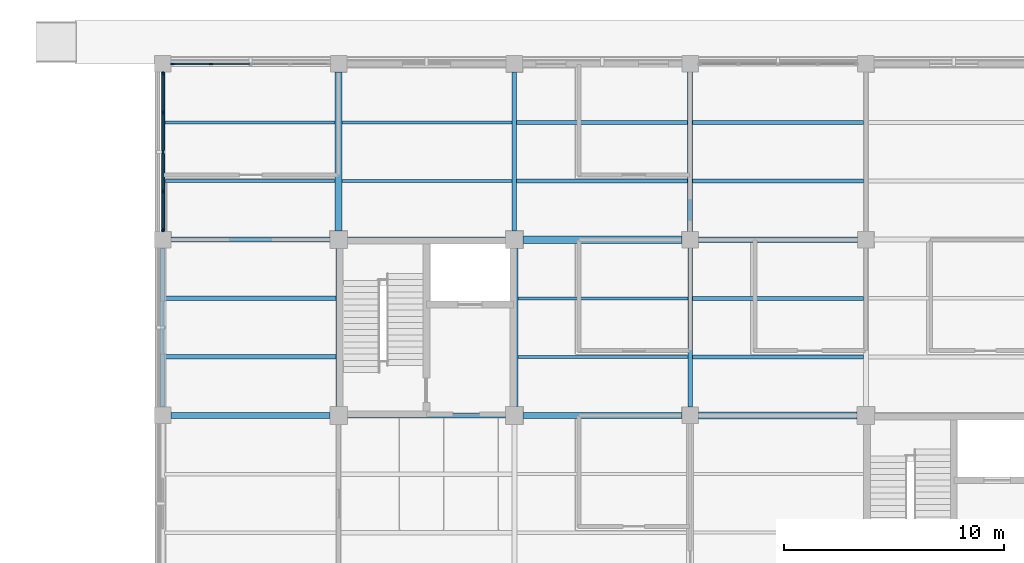
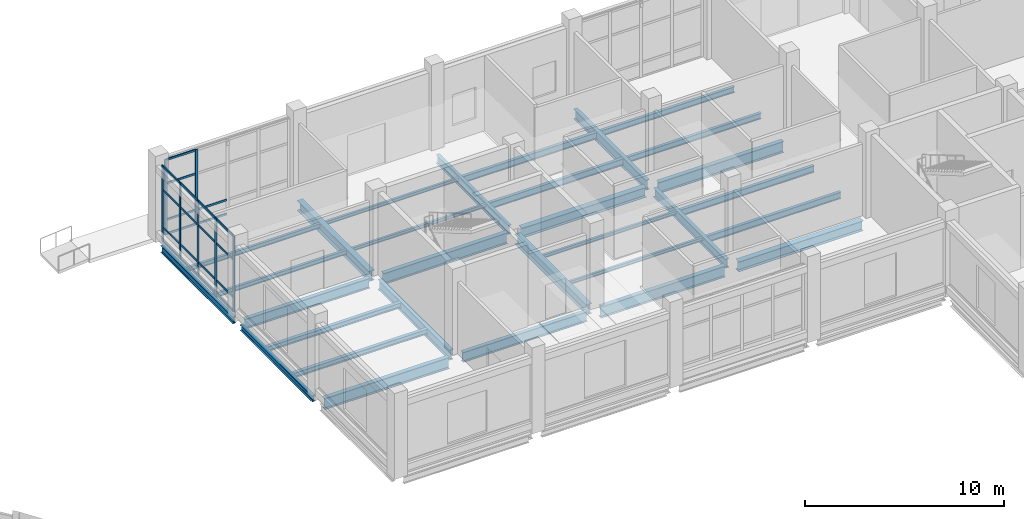
# One storey, part 45 of 105: 30 beams, 29 members, 2 elements without a shape of their own.
"""IFC4 building model written with IfcOpenShell, lengths in metres."""

from ifc_helpers import new_model, si_unit, derived_unit, direction, frame, origin, origin_2d, place, context, subcontext, project, spatial, rectangle, i_section, extrude, material, layer, layer_set, material_profile, profile_set, type_object, element, aggregate, save


model = new_model("IFC4")

# Units and contexts
model_context = context("Model", 3, precision=1e-05, world=origin(), true_north=direction((0.0, 1.0)))
body_context = subcontext(model_context, "Body", "Model", "MODEL_VIEW")
ifc_project = project(units=[si_unit("LENGTHUNIT", "METRE"), si_unit("AREAUNIT", "SQUARE_METRE"), si_unit("VOLUMEUNIT", "CUBIC_METRE"), si_unit("PLANEANGLEUNIT", "RADIAN"), si_unit("MASSUNIT", "GRAM", prefix="KILO"), derived_unit("THERMALTRANSMITTANCEUNIT", [(si_unit("MASSUNIT", "GRAM", prefix="KILO"), 1), (si_unit("TIMEUNIT", "SECOND"), -3), (si_unit("THERMODYNAMICTEMPERATUREUNIT", "KELVIN"), -1)])], contexts=[model_context])

# Site, building, storey
site_placement = place(None, origin())
site = spatial("IfcSite", under=ifc_project, at=site_placement, CompositionType="ELEMENT")
building_placement = place(site_placement, origin())
building = spatial("IfcBuilding", under=site, at=building_placement, Name="Veyamyaing Civic Hall", CompositionType="ELEMENT")
storey_placement = place(building_placement, origin())
storey = spatial("IfcBuildingStorey", under=building, at=storey_placement, Name="L00", CompositionType="ELEMENT", Elevation=0.0)

# Beams
ifc_material_1 = material(Name="Steel ASTM A992", Category="steel")
ifc_material_profile_1 = material_profile(ifc_material_1, i_section(OverallWidth=0.256103515625, OverallDepth=0.693115234375, WebThickness=0.014404296875, FlangeThickness=0.023681640625, FilletRadius=0.013916015625, at=origin_2d()), Name="W690X170")
ifc_profile_set_1 = profile_set([ifc_material_profile_1], Name="Steel ASTM A992")
beam_type_1 = type_object("IfcBeamType", Name="B-04", PredefinedType="BEAM", material=ifc_profile_set_1)
beam_1_placement = place(storey_placement, frame((128.375, 96.0, -0.62158203125), z_axis=(1.0, 0.0, 0.0), x_axis=(0.0, 1.0, 0.0)))
element("IfcBeam", 1, at=beam_1_placement, inside=storey, type_object=beam_type_1, Name="Girder B-04 L00 Grid N 17-18", PredefinedType="BEAM", context=body_context, shape_type="SweptSolid", body=[
    extrude(i_section(OverallWidth=0.256103515625, OverallDepth=0.693115234375, WebThickness=0.014404296875, FlangeThickness=0.023681640625, FilletRadius=0.013916015625, at=origin_2d()), origin(), (0.0, 0.0, 1.0), 7.22509765625),
])
beam_2_placement = place(storey_placement, frame((152.375, 104.0, -0.62158203125), z_axis=(1.0, 0.0, 0.0), x_axis=(0.0, 1.0, 0.0)))
element("IfcBeam", 2, at=beam_2_placement, inside=storey, type_object=beam_type_1, Name="Girder B-04 L00 Grid P 20-21", PredefinedType="BEAM", context=body_context, shape_type="SweptSolid", body=[
    extrude(i_section(OverallWidth=0.256103515625, OverallDepth=0.693115234375, WebThickness=0.014404296875, FlangeThickness=0.023681640625, FilletRadius=0.013916015625, at=origin_2d()), origin(), (0.0, 0.0, 1.0), 7.25),
])
ifc_material_profile_2 = material_profile(ifc_material_1, i_section(OverallWidth=0.22998046875, OverallDepth=0.616943359375, WebThickness=0.01318359375, FlangeThickness=0.022216796875, FilletRadius=0.012939453125, at=origin_2d()), Name="W610X140")
ifc_profile_set_2 = profile_set([ifc_material_profile_2], Name="Steel ASTM A992")
beam_type_2 = type_object("IfcBeamType", Name="B-05", PredefinedType="BEAM", material=ifc_profile_set_2)
beam_3_placement = place(storey_placement, frame((136.39990234375, 96.0, -0.58349609375), z_axis=(1.0, 0.0, 0.0), x_axis=(0.0, 1.0, 0.0)))
element("IfcBeam", 3, at=beam_3_placement, inside=storey, type_object=beam_type_2, Name="Girder B-05 L00 Grid N 18-19", PredefinedType="BEAM", context=body_context, shape_type="SweptSolid", body=[
    extrude(i_section(OverallWidth=0.22998046875, OverallDepth=0.616943359375, WebThickness=0.01318359375, FlangeThickness=0.022216796875, FilletRadius=0.012939453125, at=origin_2d()), origin(), (0.0, 0.0, 1.0), 7.2001953125),
])
beam_4_placement = place(storey_placement, frame((128.375, 104.0, -0.58349609375), z_axis=(1.0, 0.0, 0.0), x_axis=(0.0, 1.0, 0.0)))
element("IfcBeam", 4, at=beam_4_placement, inside=storey, type_object=beam_type_2, Name="Girder B-05 L00 Grid P 17-18", PredefinedType="BEAM", context=body_context, shape_type="SweptSolid", body=[
    extrude(i_section(OverallWidth=0.22998046875, OverallDepth=0.616943359375, WebThickness=0.01318359375, FlangeThickness=0.022216796875, FilletRadius=0.012939453125, at=origin_2d()), origin(), (0.0, 0.0, 1.0), 7.22509765625),
])
beam_5_placement = place(storey_placement, frame((152.0, 104.375, -0.58349609375), z_axis=(0.0, 1.0, 0.0), x_axis=(-1.0, 0.0, 0.0)))
element("IfcBeam", 5, at=beam_5_placement, inside=storey, type_object=beam_type_2, Name="Girder B-05 L00 Grid 20 P-Q", PredefinedType="BEAM", context=body_context, shape_type="SweptSolid", body=[
    extrude(i_section(OverallWidth=0.22998046875, OverallDepth=0.616943359375, WebThickness=0.01318359375, FlangeThickness=0.022216796875, FilletRadius=0.012939453125, at=origin_2d()), origin(), (0.0, 0.0, 1.0), 7.25),
])
ifc_material_profile_3 = material_profile(ifc_material_1, i_section(OverallWidth=0.22802734375, OverallDepth=0.60791015625, WebThickness=0.01123046875, FlangeThickness=0.017333984375, FilletRadius=0.012939453125, at=origin_2d()), Name="W610X113")
ifc_profile_set_3 = profile_set([ifc_material_profile_3], Name="Steel ASTM A992")
beam_type_3 = type_object("IfcBeamType", Name="B-06", PredefinedType="BEAM", material=ifc_profile_set_3)
beam_6_placement = place(storey_placement, frame((136.0, 96.39990234375, -0.5791015625), z_axis=(0.0, 1.0, 0.0), x_axis=(-1.0, 0.0, 0.0)))
element("IfcBeam", 6, at=beam_6_placement, inside=storey, type_object=beam_type_3, Name="Girder B-06 L00 Grid 18 N-P", PredefinedType="BEAM", context=body_context, shape_type="SweptSolid", body=[
    extrude(i_section(OverallWidth=0.22802734375, OverallDepth=0.60791015625, WebThickness=0.01123046875, FlangeThickness=0.017333984375, FilletRadius=0.012939453125, at=origin_2d()), origin(), (0.0, 0.0, 1.0), 7.2001953125),
])
ifc_material_profile_4 = material_profile(ifc_material_1, i_section(OverallWidth=0.2041015625, OverallDepth=0.35009765625, WebThickness=0.0078125, FlangeThickness=0.01513671875, FilletRadius=0.010009765625, at=origin_2d()), Name="W360X72")
ifc_profile_set_4 = profile_set([ifc_material_profile_4], Name="Steel ASTM A992")
beam_type_4 = type_object("IfcBeamType", Name="B-11", PredefinedType="SPANDREL", material=ifc_profile_set_4)
beam_7_placement = place(storey_placement, frame((128.0, 96.375, -0.449951171875), z_axis=(0.0, 1.0, 0.0), x_axis=(-1.0, 0.0, 0.0)))
element("IfcBeam", 7, at=beam_7_placement, inside=storey, type_object=beam_type_4, Name="Girder B-11 L00 Grid 17 N-P", PredefinedType="SPANDREL", context=body_context, shape_type="SweptSolid", body=[
    extrude(i_section(OverallWidth=0.2041015625, OverallDepth=0.35009765625, WebThickness=0.0078125, FlangeThickness=0.01513671875, FilletRadius=0.010009765625, at=origin_2d()), origin(), (0.0, 0.0, 1.0), 7.25),
])
ifc_material_profile_5 = material_profile(ifc_material_1, i_section(OverallWidth=0.25390625, OverallDepth=0.68408203125, WebThickness=0.012451171875, FlangeThickness=0.01904296875, FilletRadius=0.013916015625, at=origin_2d()), Name="W690X140")
ifc_profile_set_5 = profile_set([ifc_material_profile_5], Name="Steel ASTM A992")
beam_type_5 = type_object("IfcBeamType", Name="B-14", PredefinedType="BEAM", material=ifc_profile_set_5)
beam_8_placement = place(storey_placement, frame((144.39990234375, 96.0, -0.616943359375), z_axis=(1.0, 0.0, 0.0), x_axis=(0.0, 1.0, 0.0)))
element("IfcBeam", 8, at=beam_8_placement, inside=storey, type_object=beam_type_5, Name="Girder B-14 L00 Grid N 19-20", PredefinedType="BEAM", context=body_context, shape_type="SweptSolid", body=[
    extrude(i_section(OverallWidth=0.25390625, OverallDepth=0.68408203125, WebThickness=0.012451171875, FlangeThickness=0.01904296875, FilletRadius=0.013916015625, at=origin_2d()), origin(), (0.0, 0.0, 1.0), 7.22509765625),
])
beam_9_placement = place(storey_placement, frame((136.39990234375, 104.0, -0.616943359375), z_axis=(1.0, 0.0, 0.0), x_axis=(0.0, 1.0, 0.0)))
element("IfcBeam", 9, at=beam_9_placement, inside=storey, type_object=beam_type_5, Name="Girder B-14 L00 Grid P 18-19", PredefinedType="BEAM", context=body_context, shape_type="SweptSolid", body=[
    extrude(i_section(OverallWidth=0.25390625, OverallDepth=0.68408203125, WebThickness=0.012451171875, FlangeThickness=0.01904296875, FilletRadius=0.013916015625, at=origin_2d()), origin(), (0.0, 0.0, 1.0), 7.2001953125),
])
ifc_material_profile_6 = material_profile(ifc_material_1, i_section(OverallWidth=0.324951171875, OverallDepth=0.615966796875, WebThickness=0.013916015625, FlangeThickness=0.021484375, FilletRadius=0.013916015625, at=origin_2d()), Name="W610X174")
ifc_profile_set_6 = profile_set([ifc_material_profile_6], Name="Steel ASTM A992")
beam_type_6 = type_object("IfcBeamType", Name="B-15", PredefinedType="BEAM", material=ifc_profile_set_6)
for number, where, z_axis, x_axis, name in (
    (10, (152.375, 96.0, -0.5830078125), (1.0, 0.0, 0.0), (0.0, 1.0, 0.0), "Girder B-15 L00 Grid N 20-21"),
    (11, (144.39990234375, 104.0, -0.5830078125), (1.0, 0.0, 0.0), (0.0, 1.0, 0.0), "Girder B-15 L00 Grid P 19-20"),
    (12, (136.0, 104.39990234375, -0.5830078125), (0.0, 1.0, 0.0), (-1.0, 0.0, 0.0), "Girder B-15 L00 Grid 18 P-Q"),
):
    element("IfcBeam", number, at=place(storey_placement, frame(where, z_axis=z_axis, x_axis=x_axis)), inside=storey, type_object=beam_type_6, Name=name, PredefinedType="BEAM", context=body_context, shape_type="SweptSolid", body=[
        extrude(i_section(OverallWidth=0.324951171875, OverallDepth=0.615966796875, WebThickness=0.013916015625, FlangeThickness=0.021484375, FilletRadius=0.013916015625, at=origin_2d()), origin(), (0.0, 0.0, 1.0), 7.22509765625),
    ])
beam_10_placement = place(storey_placement, frame((144.0, 96.39990234375, -0.5830078125), z_axis=(0.0, 1.0, 0.0), x_axis=(-1.0, 0.0, 0.0)))
element("IfcBeam", 13, at=beam_10_placement, inside=storey, type_object=beam_type_6, Name="Girder B-15 L00 Grid 19 N-P", PredefinedType="BEAM", context=body_context, shape_type="SweptSolid", body=[
    extrude(i_section(OverallWidth=0.324951171875, OverallDepth=0.615966796875, WebThickness=0.013916015625, FlangeThickness=0.021484375, FilletRadius=0.013916015625, at=origin_2d()), origin(), (0.0, 0.0, 1.0), 7.2001953125),
])
ifc_material_profile_7 = material_profile(ifc_material_1, i_section(OverallWidth=0.214111328125, OverallDepth=0.549072265625, WebThickness=0.0146484375, FlangeThickness=0.023681640625, FilletRadius=0.011962890625, at=origin_2d()), Name="W530X138")
ifc_profile_set_7 = profile_set([ifc_material_profile_7], Name="Steel ASTM A992")
beam_type_7 = type_object("IfcBeamType", Name="B-16", PredefinedType="BEAM", material=ifc_profile_set_7)
beam_11_placement = place(storey_placement, frame((144.0, 104.39990234375, -0.549560546875), z_axis=(0.0, 1.0, 0.0), x_axis=(-1.0, 0.0, 0.0)))
element("IfcBeam", 14, at=beam_11_placement, inside=storey, type_object=beam_type_7, Name="Girder B-16 L00 Grid 19 P-Q", PredefinedType="BEAM", context=body_context, shape_type="SweptSolid", body=[
    extrude(i_section(OverallWidth=0.214111328125, OverallDepth=0.549072265625, WebThickness=0.0146484375, FlangeThickness=0.023681640625, FilletRadius=0.011962890625, at=origin_2d()), origin(), (0.0, 0.0, 1.0), 7.22509765625),
])
beam_12_placement = place(storey_placement, frame((152.0, 96.375, -0.549560546875), z_axis=(0.0, 1.0, 0.0), x_axis=(-1.0, 0.0, 0.0)))
element("IfcBeam", 15, at=beam_12_placement, inside=storey, type_object=beam_type_7, Name="Girder B-16 L00 Grid 20 N-P", PredefinedType="BEAM", context=body_context, shape_type="SweptSolid", body=[
    extrude(i_section(OverallWidth=0.214111328125, OverallDepth=0.549072265625, WebThickness=0.0146484375, FlangeThickness=0.023681640625, FilletRadius=0.011962890625, at=origin_2d()), origin(), (0.0, 0.0, 1.0), 7.25),
])
ifc_material_profile_8 = material_profile(ifc_material_1, i_section(OverallWidth=0.180908203125, OverallDepth=0.4169921875, WebThickness=0.010986328125, FlangeThickness=0.018310546875, FilletRadius=0.010009765625, at=origin_2d()), Name="W410X85")
ifc_profile_set_8 = profile_set([ifc_material_profile_8], Name="Steel ASTM A992")
beam_type_8 = type_object("IfcBeamType", Name="B-19", PredefinedType="SPANDREL", material=ifc_profile_set_8)
beam_13_placement = place(storey_placement, frame((128.0, 104.375, -0.4833984375), z_axis=(0.0, 1.0, 0.0), x_axis=(-1.0, 0.0, 0.0)))
element("IfcBeam", 16, at=beam_13_placement, inside=storey, type_object=beam_type_8, Name="Girder B-19 L00 Grid 17 P-Q", PredefinedType="SPANDREL", context=body_context, shape_type="SweptSolid", body=[
    extrude(i_section(OverallWidth=0.180908203125, OverallDepth=0.4169921875, WebThickness=0.010986328125, FlangeThickness=0.018310546875, FilletRadius=0.010009765625, at=origin_2d()), origin(), (0.0, 0.0, 1.0), 7.25),
])

# Curtain wall, members
ifc_material_2 = material(Name="Anodised aluminium 6063-T6", Category="aluminium")
ifc_layer = layer(ifc_material_2, 0.159912109375, Name="Anodised aluminium 6063-T6")
ifc_layer_set = layer_set([ifc_layer], Name="Anodised aluminium 6063-T6")
curtain_wall_type = type_object("IfcCurtainWallType", Name="CW-01", PredefinedType="NOTDEFINED", material=ifc_layer_set)
curtain_wall_1_placement = place(storey_placement, origin())
curtain_wall_1 = element("IfcCurtainWall", 17, at=curtain_wall_1_placement, inside=storey, type_object=curtain_wall_type, Name="Unitized curtain wall CW-01 L00 N 17.14", PredefinedType="NOTDEFINED")
ifc_material_profile_9 = material_profile(ifc_material_2, rectangle(XDim=0.06494140625, YDim=0.159912109375, at=origin_2d()), Name="ALU-MUL-65X160")
ifc_profile_set_9 = profile_set([ifc_material_profile_9], Name="Anodised aluminium 6063-T6")
member_type_1 = type_object("IfcMemberType", Name="CWM-01", PredefinedType="MULLION", material=ifc_profile_set_9)
member_1_placement = place(storey_placement, frame((128.4375, 112.0, 0.0), z_axis=(0.0, 0.0, 1.0), x_axis=(0.0, 1.0, 0.0)))
member_1 = element("IfcMember", 18, at=member_1_placement, type_object=member_type_1, Name="CW-01 mullion 1", PredefinedType="MULLION", context=body_context, shape_type="SweptSolid", body=[
    extrude(rectangle(XDim=0.06494140625, YDim=0.159912109375, at=origin_2d()), origin(), (0.0, 0.0, 1.0), 4.614013671875),
])
member_2_placement = place(storey_placement, frame((130.202392578125, 112.0, 0.0), z_axis=(0.0, 0.0, 1.0), x_axis=(0.0, 1.0, 0.0)))
member_2 = element("IfcMember", 19, at=member_2_placement, type_object=member_type_1, Name="CW-01 mullion 2", PredefinedType="MULLION", context=body_context, shape_type="SweptSolid", body=[
    extrude(rectangle(XDim=0.06494140625, YDim=0.159912109375, at=origin_2d()), origin(), (0.0, 0.0, 1.0), 4.614013671875),
])

curtain_wall_2_placement = place(storey_placement, origin())
curtain_wall_2 = element("IfcCurtainWall", 20, at=curtain_wall_2_placement, inside=storey, type_object=curtain_wall_type, Name="Unitized curtain wall CW-01 L00 W 17.14", PredefinedType="NOTDEFINED")
member_3_placement = place(storey_placement, frame((128.0, 104.4375, 0.0), z_axis=(0.0, 0.0, 1.0), x_axis=(-1.0, 0.0, 0.0)))
member_3 = element("IfcMember", 21, at=member_3_placement, type_object=member_type_1, Name="CW-01 mullion 1", PredefinedType="MULLION", context=body_context, shape_type="SweptSolid", body=[
    extrude(rectangle(XDim=0.06494140625, YDim=0.159912109375, at=origin_2d()), origin(), (0.0, 0.0, 1.0), 4.674072265625),
])
member_4_placement = place(storey_placement, frame((128.0, 106.202392578125, 0.0), z_axis=(0.0, 0.0, 1.0), x_axis=(-1.0, 0.0, 0.0)))
member_4 = element("IfcMember", 22, at=member_4_placement, type_object=member_type_1, Name="CW-01 mullion 2", PredefinedType="MULLION", context=body_context, shape_type="SweptSolid", body=[
    extrude(rectangle(XDim=0.06494140625, YDim=0.159912109375, at=origin_2d()), origin(), (0.0, 0.0, 1.0), 4.674072265625),
])
member_5_placement = place(storey_placement, frame((128.0, 108.0, 0.0), z_axis=(0.0, 0.0, 1.0), x_axis=(-1.0, 0.0, 0.0)))
member_5 = element("IfcMember", 23, at=member_5_placement, type_object=member_type_1, Name="CW-01 mullion 3", PredefinedType="MULLION", context=body_context, shape_type="SweptSolid", body=[
    extrude(rectangle(XDim=0.06494140625, YDim=0.159912109375, at=origin_2d()), origin(), (0.0, 0.0, 1.0), 4.674072265625),
])
member_6_placement = place(storey_placement, frame((128.0, 109.797607421875, 0.0), z_axis=(0.0, 0.0, 1.0), x_axis=(-1.0, 0.0, 0.0)))
member_6 = element("IfcMember", 24, at=member_6_placement, type_object=member_type_1, Name="CW-01 mullion 4", PredefinedType="MULLION", context=body_context, shape_type="SweptSolid", body=[
    extrude(rectangle(XDim=0.06494140625, YDim=0.159912109375, at=origin_2d()), origin(), (0.0, 0.0, 1.0), 4.674072265625),
])
member_7_placement = place(storey_placement, frame((128.0, 111.5625, 0.0), z_axis=(0.0, 0.0, 1.0), x_axis=(-1.0, 0.0, 0.0)))
member_7 = element("IfcMember", 25, at=member_7_placement, type_object=member_type_1, Name="CW-01 mullion 5", PredefinedType="MULLION", context=body_context, shape_type="SweptSolid", body=[
    extrude(rectangle(XDim=0.06494140625, YDim=0.159912109375, at=origin_2d()), origin(), (0.0, 0.0, 1.0), 4.674072265625),
])

# Member
ifc_material_profile_10 = material_profile(ifc_material_2, rectangle(XDim=0.06494140625, YDim=0.1201171875, at=origin_2d()), Name="ALU-TRN-65X120")
ifc_profile_set_10 = profile_set([ifc_material_profile_10], Name="Anodised aluminium 6063-T6")
member_type_2 = type_object("IfcMemberType", Name="CWT-01", PredefinedType="USERDEFINED", material=ifc_profile_set_10)
member_8_placement = place(storey_placement, frame((128.469970703125, 112.0, 0.032470703125), z_axis=(1.0, 0.0, 0.0), x_axis=(0.0, 1.0, 0.0)))
member_8 = element("IfcMember", 26, at=member_8_placement, type_object=member_type_2, Name="CW-01 transom 1.1", ObjectType="TRANSOM", PredefinedType="USERDEFINED", context=body_context, shape_type="SweptSolid", body=[
    extrude(rectangle(XDim=0.06494140625, YDim=0.1201171875, at=origin_2d()), origin(), (0.0, 0.0, 1.0), 1.699951171875),
])

member_9_placement = place(storey_placement, frame((128.469970703125, 112.0, 0.89990234375), z_axis=(1.0, 0.0, 0.0), x_axis=(0.0, 1.0, 0.0)))
member_9 = element("IfcMember", 27, at=member_9_placement, type_object=member_type_2, Name="CW-01 transom 1.2", ObjectType="TRANSOM", PredefinedType="USERDEFINED", context=body_context, shape_type="SweptSolid", body=[
    extrude(rectangle(XDim=0.06494140625, YDim=0.1201171875, at=origin_2d()), origin(), (0.0, 0.0, 1.0), 1.699951171875),
])

member_10_placement = place(storey_placement, frame((128.469970703125, 112.0, 3.137451171875), z_axis=(1.0, 0.0, 0.0), x_axis=(0.0, 1.0, 0.0)))
member_10 = element("IfcMember", 28, at=member_10_placement, type_object=member_type_2, Name="CW-01 transom 1.3", ObjectType="TRANSOM", PredefinedType="USERDEFINED", context=body_context, shape_type="SweptSolid", body=[
    extrude(rectangle(XDim=0.06494140625, YDim=0.1201171875, at=origin_2d()), origin(), (0.0, 0.0, 1.0), 1.699951171875),
])

member_11_placement = place(storey_placement, frame((128.469970703125, 112.0, 4.58154296875), z_axis=(1.0, 0.0, 0.0), x_axis=(0.0, 1.0, 0.0)))
member_11 = element("IfcMember", 29, at=member_11_placement, type_object=member_type_2, Name="CW-01 transom 1.4", ObjectType="TRANSOM", PredefinedType="USERDEFINED", context=body_context, shape_type="SweptSolid", body=[
    extrude(rectangle(XDim=0.06494140625, YDim=0.1201171875, at=origin_2d()), origin(), (0.0, 0.0, 1.0), 1.699951171875),
])

member_12_placement = place(storey_placement, frame((130.235107421875, 112.0, 0.032470703125), z_axis=(1.0, 0.0, 0.0), x_axis=(0.0, 1.0, 0.0)))
member_12 = element("IfcMember", 30, at=member_12_placement, type_object=member_type_2, Name="CW-01 transom 2.1", ObjectType="TRANSOM", PredefinedType="USERDEFINED", context=body_context, shape_type="SweptSolid", body=[
    extrude(rectangle(XDim=0.06494140625, YDim=0.1201171875, at=origin_2d()), origin(), (0.0, 0.0, 1.0), 1.732421875),
])

member_13_placement = place(storey_placement, frame((130.235107421875, 112.0, 0.89990234375), z_axis=(1.0, 0.0, 0.0), x_axis=(0.0, 1.0, 0.0)))
member_13 = element("IfcMember", 31, at=member_13_placement, type_object=member_type_2, Name="CW-01 transom 2.2", ObjectType="TRANSOM", PredefinedType="USERDEFINED", context=body_context, shape_type="SweptSolid", body=[
    extrude(rectangle(XDim=0.06494140625, YDim=0.1201171875, at=origin_2d()), origin(), (0.0, 0.0, 1.0), 1.732421875),
])

aggregate(curtain_wall_1, [member_1, member_2, member_8, member_9, member_10, member_11, member_12, member_13])

member_14_placement = place(storey_placement, frame((128.0, 104.469970703125, 0.032470703125), z_axis=(0.0, 1.0, 0.0), x_axis=(-1.0, 0.0, 0.0)))
member_14 = element("IfcMember", 32, at=member_14_placement, type_object=member_type_2, Name="CW-01 transom 1.1", ObjectType="TRANSOM", PredefinedType="USERDEFINED", context=body_context, shape_type="SweptSolid", body=[
    extrude(rectangle(XDim=0.06494140625, YDim=0.1201171875, at=origin_2d()), origin(), (0.0, 0.0, 1.0), 1.699951171875),
])

member_15_placement = place(storey_placement, frame((128.0, 104.469970703125, 0.89990234375), z_axis=(0.0, 1.0, 0.0), x_axis=(-1.0, 0.0, 0.0)))
member_15 = element("IfcMember", 33, at=member_15_placement, type_object=member_type_2, Name="CW-01 transom 1.2", ObjectType="TRANSOM", PredefinedType="USERDEFINED", context=body_context, shape_type="SweptSolid", body=[
    extrude(rectangle(XDim=0.06494140625, YDim=0.1201171875, at=origin_2d()), origin(), (0.0, 0.0, 1.0), 1.699951171875),
])

member_16_placement = place(storey_placement, frame((128.0, 104.469970703125, 3.17822265625), z_axis=(0.0, 1.0, 0.0), x_axis=(-1.0, 0.0, 0.0)))
member_16 = element("IfcMember", 34, at=member_16_placement, type_object=member_type_2, Name="CW-01 transom 1.3", ObjectType="TRANSOM", PredefinedType="USERDEFINED", context=body_context, shape_type="SweptSolid", body=[
    extrude(rectangle(XDim=0.06494140625, YDim=0.1201171875, at=origin_2d()), origin(), (0.0, 0.0, 1.0), 1.699951171875),
])

member_17_placement = place(storey_placement, frame((128.0, 104.469970703125, 4.6416015625), z_axis=(0.0, 1.0, 0.0), x_axis=(-1.0, 0.0, 0.0)))
member_17 = element("IfcMember", 35, at=member_17_placement, type_object=member_type_2, Name="CW-01 transom 1.4", ObjectType="TRANSOM", PredefinedType="USERDEFINED", context=body_context, shape_type="SweptSolid", body=[
    extrude(rectangle(XDim=0.06494140625, YDim=0.1201171875, at=origin_2d()), origin(), (0.0, 0.0, 1.0), 1.699951171875),
])

member_18_placement = place(storey_placement, frame((128.0, 106.235107421875, 0.032470703125), z_axis=(0.0, 1.0, 0.0), x_axis=(-1.0, 0.0, 0.0)))
member_18 = element("IfcMember", 36, at=member_18_placement, type_object=member_type_2, Name="CW-01 transom 2.1", ObjectType="TRANSOM", PredefinedType="USERDEFINED", context=body_context, shape_type="SweptSolid", body=[
    extrude(rectangle(XDim=0.06494140625, YDim=0.1201171875, at=origin_2d()), origin(), (0.0, 0.0, 1.0), 1.732421875),
])

member_19_placement = place(storey_placement, frame((128.0, 106.235107421875, 0.89990234375), z_axis=(0.0, 1.0, 0.0), x_axis=(-1.0, 0.0, 0.0)))
member_19 = element("IfcMember", 37, at=member_19_placement, type_object=member_type_2, Name="CW-01 transom 2.2", ObjectType="TRANSOM", PredefinedType="USERDEFINED", context=body_context, shape_type="SweptSolid", body=[
    extrude(rectangle(XDim=0.06494140625, YDim=0.1201171875, at=origin_2d()), origin(), (0.0, 0.0, 1.0), 1.732421875),
])

member_20_placement = place(storey_placement, frame((128.0, 106.235107421875, 3.17822265625), z_axis=(0.0, 1.0, 0.0), x_axis=(-1.0, 0.0, 0.0)))
member_20 = element("IfcMember", 38, at=member_20_placement, type_object=member_type_2, Name="CW-01 transom 2.3", ObjectType="TRANSOM", PredefinedType="USERDEFINED", context=body_context, shape_type="SweptSolid", body=[
    extrude(rectangle(XDim=0.06494140625, YDim=0.1201171875, at=origin_2d()), origin(), (0.0, 0.0, 1.0), 1.732421875),
])

member_21_placement = place(storey_placement, frame((128.0, 106.235107421875, 4.6416015625), z_axis=(0.0, 1.0, 0.0), x_axis=(-1.0, 0.0, 0.0)))
member_21 = element("IfcMember", 39, at=member_21_placement, type_object=member_type_2, Name="CW-01 transom 2.4", ObjectType="TRANSOM", PredefinedType="USERDEFINED", context=body_context, shape_type="SweptSolid", body=[
    extrude(rectangle(XDim=0.06494140625, YDim=0.1201171875, at=origin_2d()), origin(), (0.0, 0.0, 1.0), 1.732421875),
])

member_22_placement = place(storey_placement, frame((128.0, 108.032470703125, 0.032470703125), z_axis=(0.0, 1.0, 0.0), x_axis=(-1.0, 0.0, 0.0)))
member_22 = element("IfcMember", 40, at=member_22_placement, type_object=member_type_2, Name="CW-01 transom 3.1", ObjectType="TRANSOM", PredefinedType="USERDEFINED", context=body_context, shape_type="SweptSolid", body=[
    extrude(rectangle(XDim=0.06494140625, YDim=0.1201171875, at=origin_2d()), origin(), (0.0, 0.0, 1.0), 1.732421875),
])

member_23_placement = place(storey_placement, frame((128.0, 108.032470703125, 0.89990234375), z_axis=(0.0, 1.0, 0.0), x_axis=(-1.0, 0.0, 0.0)))
member_23 = element("IfcMember", 41, at=member_23_placement, type_object=member_type_2, Name="CW-01 transom 3.2", ObjectType="TRANSOM", PredefinedType="USERDEFINED", context=body_context, shape_type="SweptSolid", body=[
    extrude(rectangle(XDim=0.06494140625, YDim=0.1201171875, at=origin_2d()), origin(), (0.0, 0.0, 1.0), 1.732421875),
])

member_24_placement = place(storey_placement, frame((128.0, 108.032470703125, 3.17822265625), z_axis=(0.0, 1.0, 0.0), x_axis=(-1.0, 0.0, 0.0)))
member_24 = element("IfcMember", 42, at=member_24_placement, type_object=member_type_2, Name="CW-01 transom 3.3", ObjectType="TRANSOM", PredefinedType="USERDEFINED", context=body_context, shape_type="SweptSolid", body=[
    extrude(rectangle(XDim=0.06494140625, YDim=0.1201171875, at=origin_2d()), origin(), (0.0, 0.0, 1.0), 1.732421875),
])

member_25_placement = place(storey_placement, frame((128.0, 108.032470703125, 4.6416015625), z_axis=(0.0, 1.0, 0.0), x_axis=(-1.0, 0.0, 0.0)))
member_25 = element("IfcMember", 43, at=member_25_placement, type_object=member_type_2, Name="CW-01 transom 3.4", ObjectType="TRANSOM", PredefinedType="USERDEFINED", context=body_context, shape_type="SweptSolid", body=[
    extrude(rectangle(XDim=0.06494140625, YDim=0.1201171875, at=origin_2d()), origin(), (0.0, 0.0, 1.0), 1.732421875),
])

member_26_placement = place(storey_placement, frame((128.0, 109.830078125, 0.032470703125), z_axis=(0.0, 1.0, 0.0), x_axis=(-1.0, 0.0, 0.0)))
member_26 = element("IfcMember", 44, at=member_26_placement, type_object=member_type_2, Name="CW-01 transom 4.1", ObjectType="TRANSOM", PredefinedType="USERDEFINED", context=body_context, shape_type="SweptSolid", body=[
    extrude(rectangle(XDim=0.06494140625, YDim=0.1201171875, at=origin_2d()), origin(), (0.0, 0.0, 1.0), 1.699951171875),
])

member_27_placement = place(storey_placement, frame((128.0, 109.830078125, 0.89990234375), z_axis=(0.0, 1.0, 0.0), x_axis=(-1.0, 0.0, 0.0)))
member_27 = element("IfcMember", 45, at=member_27_placement, type_object=member_type_2, Name="CW-01 transom 4.2", ObjectType="TRANSOM", PredefinedType="USERDEFINED", context=body_context, shape_type="SweptSolid", body=[
    extrude(rectangle(XDim=0.06494140625, YDim=0.1201171875, at=origin_2d()), origin(), (0.0, 0.0, 1.0), 1.699951171875),
])

member_28_placement = place(storey_placement, frame((128.0, 109.830078125, 3.17822265625), z_axis=(0.0, 1.0, 0.0), x_axis=(-1.0, 0.0, 0.0)))
member_28 = element("IfcMember", 46, at=member_28_placement, type_object=member_type_2, Name="CW-01 transom 4.3", ObjectType="TRANSOM", PredefinedType="USERDEFINED", context=body_context, shape_type="SweptSolid", body=[
    extrude(rectangle(XDim=0.06494140625, YDim=0.1201171875, at=origin_2d()), origin(), (0.0, 0.0, 1.0), 1.699951171875),
])

member_29_placement = place(storey_placement, frame((128.0, 109.830078125, 4.6416015625), z_axis=(0.0, 1.0, 0.0), x_axis=(-1.0, 0.0, 0.0)))
member_29 = element("IfcMember", 47, at=member_29_placement, type_object=member_type_2, Name="CW-01 transom 4.4", ObjectType="TRANSOM", PredefinedType="USERDEFINED", context=body_context, shape_type="SweptSolid", body=[
    extrude(rectangle(XDim=0.06494140625, YDim=0.1201171875, at=origin_2d()), origin(), (0.0, 0.0, 1.0), 1.699951171875),
])

aggregate(curtain_wall_2, [member_3, member_4, member_5, member_6, member_7, member_14, member_15, member_16, member_17, member_18, member_19, member_20, member_21, member_22, member_23, member_24, member_25, member_26, member_27, member_28, member_29])

# Beams
ifc_material_profile_11 = material_profile(ifc_material_1, i_section(OverallWidth=0.177978515625, OverallDepth=0.406982421875, WebThickness=0.0078125, FlangeThickness=0.0126953125, FilletRadius=0.010009765625, at=origin_2d()), Name="W410X60")
ifc_profile_set_11 = profile_set([ifc_material_profile_11], Name="Steel ASTM A992")
beam_type_9 = type_object("IfcBeamType", Name="J-01", PredefinedType="JOIST", material=ifc_profile_set_11)
for number, where, z_axis, x_axis, name in (
    (48, (144.10498046875, 106.666748046875, -0.478515625), (1.0, 0.0, 0.0), (0.0, 1.0, 0.0), "Composite floor joist J-01 L00 19.14.1"),
    (49, (144.10498046875, 109.333251953125, -0.478515625), (1.0, 0.0, 0.0), (0.0, 1.0, 0.0), "Composite floor joist J-01 L00 19.14.2"),
    (50, (152.10498046875, 98.666748046875, -0.478515625), (1.0, 0.0, 0.0), (0.0, 1.0, 0.0), "Composite floor joist J-01 L00 20.13.1"),
    (51, (152.10498046875, 101.333251953125, -0.478515625), (1.0, 0.0, 0.0), (0.0, 1.0, 0.0), "Composite floor joist J-01 L00 20.13.2"),
):
    element("IfcBeam", number, at=place(storey_placement, frame(where, z_axis=z_axis, x_axis=x_axis)), inside=storey, type_object=beam_type_9, Name=name, PredefinedType="JOIST", context=body_context, shape_type="SweptSolid", body=[
        extrude(i_section(OverallWidth=0.177978515625, OverallDepth=0.406982421875, WebThickness=0.0078125, FlangeThickness=0.0126953125, FilletRadius=0.010009765625, at=origin_2d()), origin(), (0.0, 0.0, 1.0), 7.781982421875),
    ])
ifc_material_profile_12 = material_profile(ifc_material_1, i_section(OverallWidth=0.172119140625, OverallDepth=0.35791015625, WebThickness=0.0078125, FlangeThickness=0.01318359375, FilletRadius=0.010009765625, at=origin_2d()), Name="W360X57")
ifc_profile_set_12 = profile_set([ifc_material_profile_12], Name="Steel ASTM A992")
beam_type_10 = type_object("IfcBeamType", Name="J-02", PredefinedType="JOIST", material=ifc_profile_set_12)
for number, where, z_axis, x_axis, name in (
    (52, (152.113037109375, 106.666748046875, -0.4541015625), (1.0, 0.0, 0.0), (0.0, 1.0, 0.0), "Composite floor joist J-02 L00 20.14.1"),
    (53, (152.113037109375, 109.333251953125, -0.4541015625), (1.0, 0.0, 0.0), (0.0, 1.0, 0.0), "Composite floor joist J-02 L00 20.14.2"),
):
    element("IfcBeam", number, at=place(storey_placement, frame(where, z_axis=z_axis, x_axis=x_axis)), inside=storey, type_object=beam_type_10, Name=name, PredefinedType="JOIST", context=body_context, shape_type="SweptSolid", body=[
        extrude(i_section(OverallWidth=0.172119140625, OverallDepth=0.35791015625, WebThickness=0.0078125, FlangeThickness=0.01318359375, FilletRadius=0.010009765625, at=origin_2d()), origin(), (0.0, 0.0, 1.0), 7.77490234375),
    ])
ifc_material_profile_13 = material_profile(ifc_material_1, i_section(OverallWidth=0.2041015625, OverallDepth=0.305908203125, WebThickness=0.008544921875, FlangeThickness=0.0146484375, FilletRadius=0.010009765625, at=origin_2d()), Name="W310X67")
ifc_profile_set_13 = profile_set([ifc_material_profile_13], Name="Steel ASTM A992")
beam_type_11 = type_object("IfcBeamType", Name="J-06", PredefinedType="JOIST", material=ifc_profile_set_13)
for number, where, z_axis, x_axis, name in (
    (54, (128.10009765625, 98.666748046875, -0.427978515625), (1.0, 0.0, 0.0), (0.0, 1.0, 0.0), "Composite floor joist J-06 L00 17.13.1"),
    (55, (128.10009765625, 101.333251953125, -0.427978515625), (1.0, 0.0, 0.0), (0.0, 1.0, 0.0), "Composite floor joist J-06 L00 17.13.2"),
):
    element("IfcBeam", number, at=place(storey_placement, frame(where, z_axis=z_axis, x_axis=x_axis)), inside=storey, type_object=beam_type_11, Name=name, PredefinedType="JOIST", context=body_context, shape_type="SweptSolid", body=[
        extrude(i_section(OverallWidth=0.2041015625, OverallDepth=0.305908203125, WebThickness=0.008544921875, FlangeThickness=0.0146484375, FilletRadius=0.010009765625, at=origin_2d()), origin(), (0.0, 0.0, 1.0), 7.787841796875),
    ])
ifc_material_profile_14 = material_profile(ifc_material_1, i_section(OverallWidth=0.14794921875, OverallDepth=0.26611328125, WebThickness=0.007568359375, FlangeThickness=0.012939453125, FilletRadius=0.010009765625, at=origin_2d()), Name="W250X45")
ifc_profile_set_14 = profile_set([ifc_material_profile_14], Name="Steel ASTM A992")
beam_type_12 = type_object("IfcBeamType", Name="J-07", PredefinedType="JOIST", material=ifc_profile_set_14)
for number, where, z_axis, x_axis, name in (
    (56, (128.08837890625, 106.666748046875, -0.407958984375), (1.0, 0.0, 0.0), (0.0, 1.0, 0.0), "Composite floor joist J-07 L00 17.14.1"),
    (57, (128.08837890625, 109.333251953125, -0.407958984375), (1.0, 0.0, 0.0), (0.0, 1.0, 0.0), "Composite floor joist J-07 L00 17.14.2"),
):
    element("IfcBeam", number, at=place(storey_placement, frame(where, z_axis=z_axis, x_axis=x_axis)), inside=storey, type_object=beam_type_12, Name=name, PredefinedType="JOIST", context=body_context, shape_type="SweptSolid", body=[
        extrude(i_section(OverallWidth=0.14794921875, OverallDepth=0.26611328125, WebThickness=0.007568359375, FlangeThickness=0.012939453125, FilletRadius=0.010009765625, at=origin_2d()), origin(), (0.0, 0.0, 1.0), 7.751220703125),
    ])
ifc_material_profile_15 = material_profile(ifc_material_1, i_section(OverallWidth=0.133056640625, OverallDepth=0.20703125, WebThickness=0.005859375, FlangeThickness=0.00830078125, FilletRadius=0.010009765625, at=origin_2d()), Name="W200X27")
ifc_profile_set_15 = profile_set([ifc_material_profile_15], Name="Steel ASTM A992")
beam_type_13 = type_object("IfcBeamType", Name="J-08", PredefinedType="JOIST", material=ifc_profile_set_15)
for number, where, z_axis, x_axis, name in (
    (58, (136.160400390625, 106.666748046875, -0.37841796875), (1.0, 0.0, 0.0), (0.0, 1.0, 0.0), "Composite floor joist J-08 L00 18.14.1"),
    (59, (136.160400390625, 109.333251953125, -0.37841796875), (1.0, 0.0, 0.0), (0.0, 1.0, 0.0), "Composite floor joist J-08 L00 18.14.2"),
    (60, (144.160400390625, 98.666748046875, -0.37841796875), (1.0, 0.0, 0.0), (0.0, 1.0, 0.0), "Composite floor joist J-08 L00 19.13.1"),
    (61, (144.160400390625, 101.333251953125, -0.37841796875), (1.0, 0.0, 0.0), (0.0, 1.0, 0.0), "Composite floor joist J-08 L00 19.13.2"),
):
    element("IfcBeam", number, at=place(storey_placement, frame(where, z_axis=z_axis, x_axis=x_axis)), inside=storey, type_object=beam_type_13, Name=name, PredefinedType="JOIST", context=body_context, shape_type="SweptSolid", body=[
        extrude(i_section(OverallWidth=0.133056640625, OverallDepth=0.20703125, WebThickness=0.005859375, FlangeThickness=0.00830078125, FilletRadius=0.010009765625, at=origin_2d()), origin(), (0.0, 0.0, 1.0), 7.734619140625),
    ])

save(model, "model.ifc")
